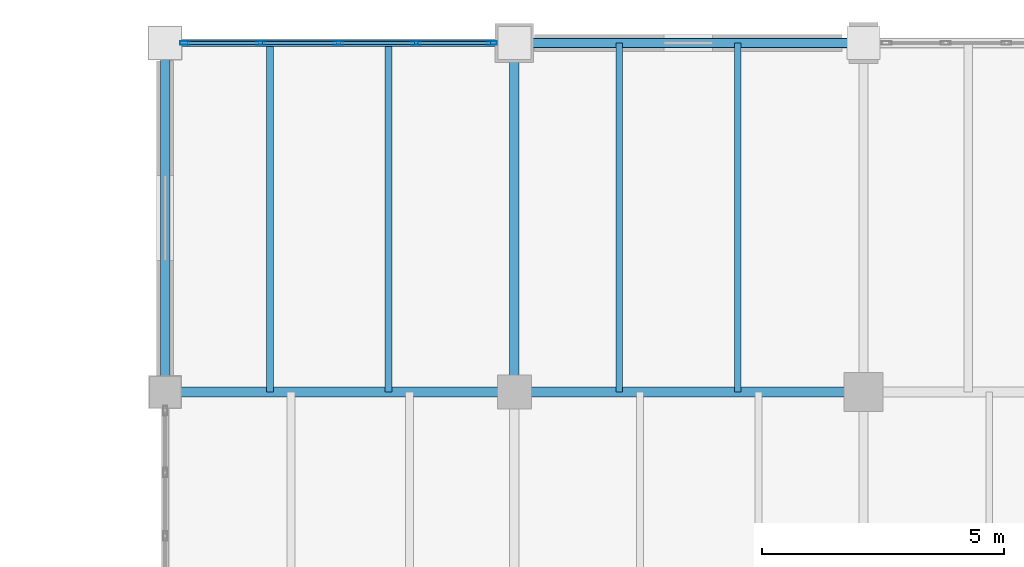
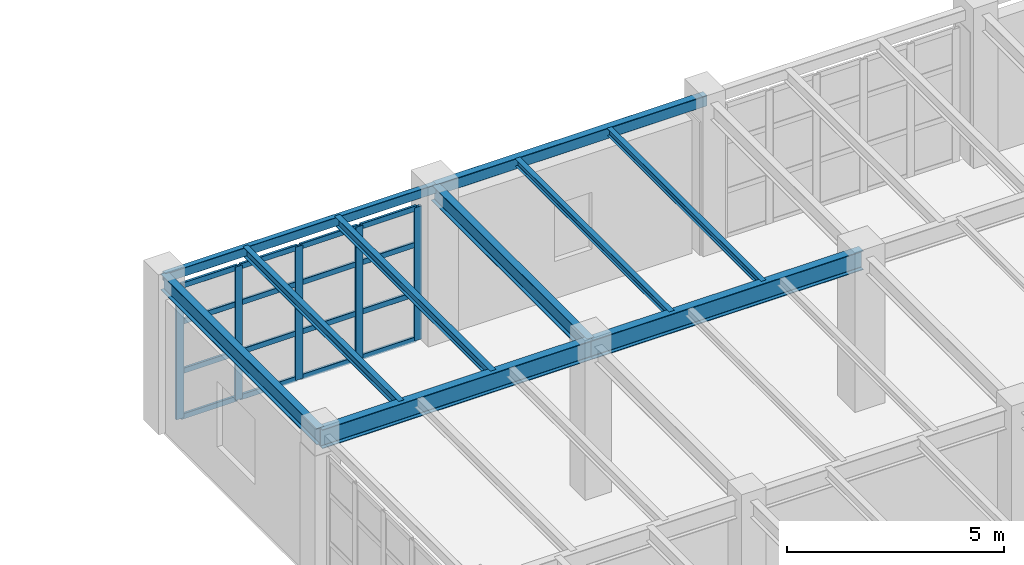
# One storey, part 67 of 137: 21 members, 10 beams, 1 element without a shape of its own.
"""IFC4 building model written with IfcOpenShell, lengths in metres."""

from ifc_helpers import new_model, si_unit, direction, frame, origin, origin_2d, place, context, subcontext, project, spatial, hollow_rectangle, i_section, extrude, material, layer, layer_set, material_profile, profile_set, type_object, element, aggregate, save


model = new_model("IFC4")

# Units and contexts
model_context = context("Model", 3, precision=1e-05, world=origin(), true_north=direction((0.0, 1.0)))
body_context = subcontext(model_context, "Body", "Model", "MODEL_VIEW")
ifc_project = project(units=[si_unit("LENGTHUNIT", "METRE"), si_unit("AREAUNIT", "SQUARE_METRE"), si_unit("VOLUMEUNIT", "CUBIC_METRE"), si_unit("PLANEANGLEUNIT", "RADIAN"), si_unit("MASSUNIT", "GRAM", prefix="KILO")], contexts=[model_context])

# Site, building, storey
site_placement = place(None, origin())
site = spatial("IfcSite", under=ifc_project, at=site_placement, CompositionType="ELEMENT")
building_placement = place(site_placement, origin())
building = spatial("IfcBuilding", under=site, at=building_placement, Name="Kemerveld Promenade Tramway Depot", CompositionType="ELEMENT")
storey_placement = place(building_placement, frame((0.0, 0.0, 5.39990234375)))
storey = spatial("IfcBuildingStorey", under=building, at=storey_placement, Name="L01", CompositionType="ELEMENT", Elevation=5.39990234375)

# Beams
ifc_material_1 = material(Name="Steel S355", Category="steel")
ifc_material_profile_1 = material_profile(ifc_material_1, i_section(OverallWidth=0.2099609375, OverallDepth=0.53662109375, WebThickness=0.0107421875, FlangeThickness=0.017333984375, FilletRadius=0.0126953125, at=origin_2d()), Name="533x210x101 UB")
ifc_profile_set_1 = profile_set([ifc_material_profile_1], Name="Steel S355")
beam_type_1 = type_object("IfcBeamType", Name="BM-G05", PredefinedType="BEAM", material=ifc_profile_set_1)
beam_1_placement = place(storey_placement, frame((115.199951171875, 72.0, 3.9716796875), z_axis=(1.0, 0.0, 0.0), x_axis=(0.0, 1.0, 0.0)))
element("IfcBeam", 1, at=beam_1_placement, inside=storey, type_object=beam_type_1, Name="BMX-L01-17-18-L", PredefinedType="BEAM", context=body_context, shape_type="SweptSolid", body=[
    extrude(i_section(OverallWidth=0.2099609375, OverallDepth=0.53662109375, WebThickness=0.0107421875, FlangeThickness=0.017333984375, FilletRadius=0.0126953125, at=origin_2d()), origin(), (0.0, 0.0, 1.0), 7.199951171875),
])
beam_2_placement = place(storey_placement, frame((122.39990234375, 72.0, 3.9716796875), z_axis=(1.0, 0.0, 0.0), x_axis=(0.0, 1.0, 0.0)))
element("IfcBeam", 2, at=beam_2_placement, inside=storey, type_object=beam_type_1, Name="BMX-L01-18-19-L", PredefinedType="BEAM", context=body_context, shape_type="SweptSolid", body=[
    extrude(i_section(OverallWidth=0.2099609375, OverallDepth=0.53662109375, WebThickness=0.0107421875, FlangeThickness=0.017333984375, FilletRadius=0.0126953125, at=origin_2d()), origin(), (0.0, 0.0, 1.0), 7.2001953125),
])
ifc_material_profile_2 = material_profile(ifc_material_1, i_section(OverallWidth=0.19140625, OverallDepth=0.4599609375, WebThickness=0.010009765625, FlangeThickness=0.01611328125, FilletRadius=0.01025390625, at=origin_2d()), Name="457x191x82 UB")
ifc_profile_set_2 = profile_set([ifc_material_profile_2], Name="Steel S355")
beam_type_2 = type_object("IfcBeamType", Name="BM-G06", PredefinedType="BEAM", material=ifc_profile_set_2)
for number, where, z_axis, x_axis, name in (
    (3, (115.199951171875, 72.0, 4.010009765625), (0.0, 1.0, 0.0), (-1.0, 0.0, 0.0), "BMY-L01-17-L-M"),
    (4, (122.39990234375, 72.0, 4.010009765625), (0.0, 1.0, 0.0), (-1.0, 0.0, 0.0), "BMY-L01-18-L-M"),
):
    element("IfcBeam", number, at=place(storey_placement, frame(where, z_axis=z_axis, x_axis=x_axis)), inside=storey, type_object=beam_type_2, Name=name, PredefinedType="BEAM", context=body_context, shape_type="SweptSolid", body=[
        extrude(i_section(OverallWidth=0.19140625, OverallDepth=0.4599609375, WebThickness=0.010009765625, FlangeThickness=0.01611328125, FilletRadius=0.01025390625, at=origin_2d()), origin(), (0.0, 0.0, 1.0), 7.199951171875),
    ])
ifc_material_profile_3 = material_profile(ifc_material_1, hollow_rectangle(XDim=0.14990234375, YDim=0.25, WallThickness=0.010009765625, InnerFilletRadius=0.0048828125, OuterFilletRadius=0.014892578125, at=origin_2d()), Name="250x150x10.0 RHS")
ifc_profile_set_3 = profile_set([ifc_material_profile_3], Name="Steel S355")
beam_type_3 = type_object("IfcBeamType", Name="BM-G17", PredefinedType="BEAM", material=ifc_profile_set_3)
beam_3_placement = place(storey_placement, frame((115.199951171875, 79.199951171875, 4.114990234375), z_axis=(1.0, 0.0, 0.0), x_axis=(0.0, 1.0, 0.0)))
element("IfcBeam", 5, at=beam_3_placement, inside=storey, type_object=beam_type_3, Name="BMX-L01-17-18-M", PredefinedType="BEAM", context=body_context, shape_type="SweptSolid", body=[
    extrude(hollow_rectangle(XDim=0.14990234375, YDim=0.25, WallThickness=0.010009765625, InnerFilletRadius=0.0048828125, OuterFilletRadius=0.014892578125, at=origin_2d()), origin(), (0.0, 0.0, 1.0), 7.199951171875),
])
ifc_material_profile_4 = material_profile(ifc_material_1, hollow_rectangle(XDim=0.199951171875, YDim=0.300048828125, WallThickness=0.012451171875, InnerFilletRadius=0.00634765625, OuterFilletRadius=0.018798828125, at=origin_2d()), Name="300x200x12.5 RHS")
ifc_profile_set_4 = profile_set([ifc_material_profile_4], Name="Steel S355")
beam_type_4 = type_object("IfcBeamType", Name="BM-G18", PredefinedType="BEAM", material=ifc_profile_set_4)
beam_4_placement = place(storey_placement, frame((122.39990234375, 79.199951171875, 4.090087890625), z_axis=(1.0, 0.0, 0.0), x_axis=(0.0, 1.0, 0.0)))
element("IfcBeam", 6, at=beam_4_placement, inside=storey, type_object=beam_type_4, Name="BMX-L01-18-19-M", PredefinedType="BEAM", context=body_context, shape_type="SweptSolid", body=[
    extrude(hollow_rectangle(XDim=0.199951171875, YDim=0.300048828125, WallThickness=0.012451171875, InnerFilletRadius=0.00634765625, OuterFilletRadius=0.018798828125, at=origin_2d()), origin(), (0.0, 0.0, 1.0), 7.2001953125),
])
ifc_material_profile_5 = material_profile(ifc_material_1, i_section(OverallWidth=0.146484375, OverallDepth=0.256103515625, WebThickness=0.00634765625, FlangeThickness=0.010986328125, FilletRadius=0.007568359375, at=origin_2d()), Name="254x146x37 UB")
ifc_profile_set_5 = profile_set([ifc_material_profile_5], Name="Steel S355")
beam_type_5 = type_object("IfcBeamType", Name="BM-J02", PredefinedType="JOIST", material=ifc_profile_set_5)
for number, where, z_axis, x_axis, name in (
    (7, (117.360107421875, 72.0, 4.112060546875), (0.0, 1.0, 0.0), (-1.0, 0.0, 0.0), "JST-L01-17-L-1"),
    (8, (119.80810546875, 72.0, 4.112060546875), (0.0, 1.0, 0.0), (-1.0, 0.0, 0.0), "JST-L01-17-L-2"),
):
    element("IfcBeam", number, at=place(storey_placement, frame(where, z_axis=z_axis, x_axis=x_axis)), inside=storey, type_object=beam_type_5, Name=name, PredefinedType="JOIST", context=body_context, shape_type="SweptSolid", body=[
        extrude(i_section(OverallWidth=0.146484375, OverallDepth=0.256103515625, WebThickness=0.00634765625, FlangeThickness=0.010986328125, FilletRadius=0.007568359375, at=origin_2d()), origin(), (0.0, 0.0, 1.0), 7.199951171875),
    ])
ifc_material_profile_6 = material_profile(ifc_material_1, i_section(OverallWidth=0.13330078125, OverallDepth=0.203125, WebThickness=0.005615234375, FlangeThickness=0.0078125, FilletRadius=0.007568359375, at=origin_2d()), Name="203x133x25 UB")
ifc_profile_set_6 = profile_set([ifc_material_profile_6], Name="Steel S355")
beam_type_6 = type_object("IfcBeamType", Name="BM-J03", PredefinedType="JOIST", material=ifc_profile_set_6)
for number, where, z_axis, x_axis, name in (
    (9, (124.56005859375, 72.0, 4.138427734375), (0.0, 1.0, 0.0), (-1.0, 0.0, 0.0), "JST-L01-18-L-1"),
    (10, (127.008056640625, 72.0, 4.138427734375), (0.0, 1.0, 0.0), (-1.0, 0.0, 0.0), "JST-L01-18-L-2"),
):
    element("IfcBeam", number, at=place(storey_placement, frame(where, z_axis=z_axis, x_axis=x_axis)), inside=storey, type_object=beam_type_6, Name=name, PredefinedType="JOIST", context=body_context, shape_type="SweptSolid", body=[
        extrude(i_section(OverallWidth=0.13330078125, OverallDepth=0.203125, WebThickness=0.005615234375, FlangeThickness=0.0078125, FilletRadius=0.007568359375, at=origin_2d()), origin(), (0.0, 0.0, 1.0), 7.199951171875),
    ])

# Curtain wall, members
ifc_material_2 = material(Name="Bronze anodised aluminium and solar glass", Category="aluminium")
ifc_layer = layer(ifc_material_2, 0.199951171875)
ifc_layer_set = layer_set([ifc_layer], Name="CW-SYS-04")
curtain_wall_type = type_object("IfcCurtainWallType", Name="CW-SYS-04", PredefinedType="USERDEFINED", material=ifc_layer_set)
curtain_wall_placement = place(storey_placement, origin())
curtain_wall = element("IfcCurtainWall", 11, at=curtain_wall_placement, inside=storey, type_object=curtain_wall_type, Name="CW-L01-V3N-01", ObjectType="GLAZED_CURTAIN_WALL", PredefinedType="USERDEFINED")
ifc_material_3 = material(Name="Bronze anodised aluminium", Category="aluminium")
ifc_material_profile_7 = material_profile(ifc_material_3, hollow_rectangle(XDim=0.074951171875, YDim=0.199951171875, WallThickness=0.0048828125, InnerFilletRadius=0.001953125, OuterFilletRadius=0.0048828125, at=origin_2d()), Name="CW-MUL-200x75")
ifc_profile_set_7 = profile_set([ifc_material_profile_7], Name="Bronze anodised aluminium")
member_type_1 = type_object("IfcMemberType", Name="CW-MUL-B", PredefinedType="MULLION", material=ifc_profile_set_7)
member_1_placement = place(storey_placement, frame((115.607421875, 79.199951171875, 0.0), z_axis=(0.0, 0.0, 1.0), x_axis=(0.0, 1.0, 0.0)))
member_1 = element("IfcMember", 12, at=member_1_placement, type_object=member_type_1, Name="CW04 mullion 1", PredefinedType="MULLION", context=body_context, shape_type="SweptSolid", body=[
    extrude(hollow_rectangle(XDim=0.074951171875, YDim=0.199951171875, WallThickness=0.0048828125, InnerFilletRadius=0.001953125, OuterFilletRadius=0.0048828125, at=origin_2d()), origin(), (0.0, 0.0, 1.0), 3.75),
])
member_2_placement = place(storey_placement, frame((117.172607421875, 79.199951171875, 0.0), z_axis=(0.0, 0.0, 1.0), x_axis=(0.0, 1.0, 0.0)))
member_2 = element("IfcMember", 13, at=member_2_placement, type_object=member_type_1, Name="CW04 mullion 2", PredefinedType="MULLION", context=body_context, shape_type="SweptSolid", body=[
    extrude(hollow_rectangle(XDim=0.074951171875, YDim=0.199951171875, WallThickness=0.0048828125, InnerFilletRadius=0.001953125, OuterFilletRadius=0.0048828125, at=origin_2d()), origin(), (0.0, 0.0, 1.0), 3.75),
])
member_3_placement = place(storey_placement, frame((118.77490234375, 79.199951171875, 0.0), z_axis=(0.0, 0.0, 1.0), x_axis=(0.0, 1.0, 0.0)))
member_3 = element("IfcMember", 14, at=member_3_placement, type_object=member_type_1, Name="CW04 mullion 3", PredefinedType="MULLION", context=body_context, shape_type="SweptSolid", body=[
    extrude(hollow_rectangle(XDim=0.074951171875, YDim=0.199951171875, WallThickness=0.0048828125, InnerFilletRadius=0.001953125, OuterFilletRadius=0.0048828125, at=origin_2d()), origin(), (0.0, 0.0, 1.0), 3.75),
])
member_4_placement = place(storey_placement, frame((120.37744140625, 79.199951171875, 0.0), z_axis=(0.0, 0.0, 1.0), x_axis=(0.0, 1.0, 0.0)))
member_4 = element("IfcMember", 15, at=member_4_placement, type_object=member_type_1, Name="CW04 mullion 4", PredefinedType="MULLION", context=body_context, shape_type="SweptSolid", body=[
    extrude(hollow_rectangle(XDim=0.074951171875, YDim=0.199951171875, WallThickness=0.0048828125, InnerFilletRadius=0.001953125, OuterFilletRadius=0.0048828125, at=origin_2d()), origin(), (0.0, 0.0, 1.0), 3.75),
])
member_5_placement = place(storey_placement, frame((121.9423828125, 79.199951171875, 0.0), z_axis=(0.0, 0.0, 1.0), x_axis=(0.0, 1.0, 0.0)))
member_5 = element("IfcMember", 16, at=member_5_placement, type_object=member_type_1, Name="CW04 mullion 5", PredefinedType="MULLION", context=body_context, shape_type="SweptSolid", body=[
    extrude(hollow_rectangle(XDim=0.074951171875, YDim=0.199951171875, WallThickness=0.0048828125, InnerFilletRadius=0.001953125, OuterFilletRadius=0.0048828125, at=origin_2d()), origin(), (0.0, 0.0, 1.0), 3.75),
])
ifc_material_profile_8 = material_profile(ifc_material_3, hollow_rectangle(XDim=0.06494140625, YDim=0.14990234375, WallThickness=0.00439453125, InnerFilletRadius=0.001953125, OuterFilletRadius=0.00439453125, at=origin_2d()), Name="CW-TRN-150x65")
ifc_profile_set_8 = profile_set([ifc_material_profile_8], Name="Bronze anodised aluminium")
member_type_2 = type_object("IfcMemberType", Name="CW-TRN-B", PredefinedType="USERDEFINED", material=ifc_profile_set_8)
member_6_placement = place(storey_placement, frame((115.64501953125, 79.199951171875, 0.03271484375), z_axis=(1.0, 0.0, 0.0), x_axis=(0.0, 1.0, 0.0)))
member_6 = element("IfcMember", 17, at=member_6_placement, type_object=member_type_2, Name="CW04 transom 1.1", ObjectType="TRANSOM", PredefinedType="USERDEFINED", context=body_context, shape_type="SweptSolid", body=[
    extrude(hollow_rectangle(XDim=0.06494140625, YDim=0.14990234375, WallThickness=0.00439453125, InnerFilletRadius=0.001953125, OuterFilletRadius=0.00439453125, at=origin_2d()), origin(), (0.0, 0.0, 1.0), 1.489990234375),
])
member_7_placement = place(storey_placement, frame((115.64501953125, 79.199951171875, 1.31298828125), z_axis=(1.0, 0.0, 0.0), x_axis=(0.0, 1.0, 0.0)))
member_7 = element("IfcMember", 18, at=member_7_placement, type_object=member_type_2, Name="CW04 transom 1.2", ObjectType="TRANSOM", PredefinedType="USERDEFINED", context=body_context, shape_type="SweptSolid", body=[
    extrude(hollow_rectangle(XDim=0.06494140625, YDim=0.14990234375, WallThickness=0.00439453125, InnerFilletRadius=0.001953125, OuterFilletRadius=0.00439453125, at=origin_2d()), origin(), (0.0, 0.0, 1.0), 1.489990234375),
])
member_8_placement = place(storey_placement, frame((115.64501953125, 79.199951171875, 2.7001953125), z_axis=(1.0, 0.0, 0.0), x_axis=(0.0, 1.0, 0.0)))
member_8 = element("IfcMember", 19, at=member_8_placement, type_object=member_type_2, Name="CW04 transom 1.3", ObjectType="TRANSOM", PredefinedType="USERDEFINED", context=body_context, shape_type="SweptSolid", body=[
    extrude(hollow_rectangle(XDim=0.06494140625, YDim=0.14990234375, WallThickness=0.00439453125, InnerFilletRadius=0.001953125, OuterFilletRadius=0.00439453125, at=origin_2d()), origin(), (0.0, 0.0, 1.0), 1.489990234375),
])
member_9_placement = place(storey_placement, frame((115.64501953125, 79.199951171875, 3.717529296875), z_axis=(1.0, 0.0, 0.0), x_axis=(0.0, 1.0, 0.0)))
member_9 = element("IfcMember", 20, at=member_9_placement, type_object=member_type_2, Name="CW04 transom 1.4", ObjectType="TRANSOM", PredefinedType="USERDEFINED", context=body_context, shape_type="SweptSolid", body=[
    extrude(hollow_rectangle(XDim=0.06494140625, YDim=0.14990234375, WallThickness=0.00439453125, InnerFilletRadius=0.001953125, OuterFilletRadius=0.00439453125, at=origin_2d()), origin(), (0.0, 0.0, 1.0), 1.489990234375),
])
member_10_placement = place(storey_placement, frame((117.2099609375, 79.199951171875, 0.03271484375), z_axis=(1.0, 0.0, 0.0), x_axis=(0.0, 1.0, 0.0)))
member_10 = element("IfcMember", 21, at=member_10_placement, type_object=member_type_2, Name="CW04 transom 2.1", ObjectType="TRANSOM", PredefinedType="USERDEFINED", context=body_context, shape_type="SweptSolid", body=[
    extrude(hollow_rectangle(XDim=0.06494140625, YDim=0.14990234375, WallThickness=0.00439453125, InnerFilletRadius=0.001953125, OuterFilletRadius=0.00439453125, at=origin_2d()), origin(), (0.0, 0.0, 1.0), 1.527587890625),
])
member_11_placement = place(storey_placement, frame((117.2099609375, 79.199951171875, 1.31298828125), z_axis=(1.0, 0.0, 0.0), x_axis=(0.0, 1.0, 0.0)))
member_11 = element("IfcMember", 22, at=member_11_placement, type_object=member_type_2, Name="CW04 transom 2.2", ObjectType="TRANSOM", PredefinedType="USERDEFINED", context=body_context, shape_type="SweptSolid", body=[
    extrude(hollow_rectangle(XDim=0.06494140625, YDim=0.14990234375, WallThickness=0.00439453125, InnerFilletRadius=0.001953125, OuterFilletRadius=0.00439453125, at=origin_2d()), origin(), (0.0, 0.0, 1.0), 1.527587890625),
])
member_12_placement = place(storey_placement, frame((117.2099609375, 79.199951171875, 2.7001953125), z_axis=(1.0, 0.0, 0.0), x_axis=(0.0, 1.0, 0.0)))
member_12 = element("IfcMember", 23, at=member_12_placement, type_object=member_type_2, Name="CW04 transom 2.3", ObjectType="TRANSOM", PredefinedType="USERDEFINED", context=body_context, shape_type="SweptSolid", body=[
    extrude(hollow_rectangle(XDim=0.06494140625, YDim=0.14990234375, WallThickness=0.00439453125, InnerFilletRadius=0.001953125, OuterFilletRadius=0.00439453125, at=origin_2d()), origin(), (0.0, 0.0, 1.0), 1.527587890625),
])
member_13_placement = place(storey_placement, frame((117.2099609375, 79.199951171875, 3.717529296875), z_axis=(1.0, 0.0, 0.0), x_axis=(0.0, 1.0, 0.0)))
member_13 = element("IfcMember", 24, at=member_13_placement, type_object=member_type_2, Name="CW04 transom 2.4", ObjectType="TRANSOM", PredefinedType="USERDEFINED", context=body_context, shape_type="SweptSolid", body=[
    extrude(hollow_rectangle(XDim=0.06494140625, YDim=0.14990234375, WallThickness=0.00439453125, InnerFilletRadius=0.001953125, OuterFilletRadius=0.00439453125, at=origin_2d()), origin(), (0.0, 0.0, 1.0), 1.527587890625),
])
member_14_placement = place(storey_placement, frame((118.8125, 79.199951171875, 0.03271484375), z_axis=(1.0, 0.0, 0.0), x_axis=(0.0, 1.0, 0.0)))
member_14 = element("IfcMember", 25, at=member_14_placement, type_object=member_type_2, Name="CW04 transom 3.1", ObjectType="TRANSOM", PredefinedType="USERDEFINED", context=body_context, shape_type="SweptSolid", body=[
    extrude(hollow_rectangle(XDim=0.06494140625, YDim=0.14990234375, WallThickness=0.00439453125, InnerFilletRadius=0.001953125, OuterFilletRadius=0.00439453125, at=origin_2d()), origin(), (0.0, 0.0, 1.0), 1.527587890625),
])
member_15_placement = place(storey_placement, frame((118.8125, 79.199951171875, 1.31298828125), z_axis=(1.0, 0.0, 0.0), x_axis=(0.0, 1.0, 0.0)))
member_15 = element("IfcMember", 26, at=member_15_placement, type_object=member_type_2, Name="CW04 transom 3.2", ObjectType="TRANSOM", PredefinedType="USERDEFINED", context=body_context, shape_type="SweptSolid", body=[
    extrude(hollow_rectangle(XDim=0.06494140625, YDim=0.14990234375, WallThickness=0.00439453125, InnerFilletRadius=0.001953125, OuterFilletRadius=0.00439453125, at=origin_2d()), origin(), (0.0, 0.0, 1.0), 1.527587890625),
])
member_16_placement = place(storey_placement, frame((118.8125, 79.199951171875, 2.7001953125), z_axis=(1.0, 0.0, 0.0), x_axis=(0.0, 1.0, 0.0)))
member_16 = element("IfcMember", 27, at=member_16_placement, type_object=member_type_2, Name="CW04 transom 3.3", ObjectType="TRANSOM", PredefinedType="USERDEFINED", context=body_context, shape_type="SweptSolid", body=[
    extrude(hollow_rectangle(XDim=0.06494140625, YDim=0.14990234375, WallThickness=0.00439453125, InnerFilletRadius=0.001953125, OuterFilletRadius=0.00439453125, at=origin_2d()), origin(), (0.0, 0.0, 1.0), 1.527587890625),
])
member_17_placement = place(storey_placement, frame((118.8125, 79.199951171875, 3.717529296875), z_axis=(1.0, 0.0, 0.0), x_axis=(0.0, 1.0, 0.0)))
member_17 = element("IfcMember", 28, at=member_17_placement, type_object=member_type_2, Name="CW04 transom 3.4", ObjectType="TRANSOM", PredefinedType="USERDEFINED", context=body_context, shape_type="SweptSolid", body=[
    extrude(hollow_rectangle(XDim=0.06494140625, YDim=0.14990234375, WallThickness=0.00439453125, InnerFilletRadius=0.001953125, OuterFilletRadius=0.00439453125, at=origin_2d()), origin(), (0.0, 0.0, 1.0), 1.527587890625),
])
member_18_placement = place(storey_placement, frame((120.4150390625, 79.199951171875, 0.03271484375), z_axis=(1.0, 0.0, 0.0), x_axis=(0.0, 1.0, 0.0)))
member_18 = element("IfcMember", 29, at=member_18_placement, type_object=member_type_2, Name="CW04 transom 4.1", ObjectType="TRANSOM", PredefinedType="USERDEFINED", context=body_context, shape_type="SweptSolid", body=[
    extrude(hollow_rectangle(XDim=0.06494140625, YDim=0.14990234375, WallThickness=0.00439453125, InnerFilletRadius=0.001953125, OuterFilletRadius=0.00439453125, at=origin_2d()), origin(), (0.0, 0.0, 1.0), 1.489990234375),
])
member_19_placement = place(storey_placement, frame((120.4150390625, 79.199951171875, 1.31298828125), z_axis=(1.0, 0.0, 0.0), x_axis=(0.0, 1.0, 0.0)))
member_19 = element("IfcMember", 30, at=member_19_placement, type_object=member_type_2, Name="CW04 transom 4.2", ObjectType="TRANSOM", PredefinedType="USERDEFINED", context=body_context, shape_type="SweptSolid", body=[
    extrude(hollow_rectangle(XDim=0.06494140625, YDim=0.14990234375, WallThickness=0.00439453125, InnerFilletRadius=0.001953125, OuterFilletRadius=0.00439453125, at=origin_2d()), origin(), (0.0, 0.0, 1.0), 1.489990234375),
])
member_20_placement = place(storey_placement, frame((120.4150390625, 79.199951171875, 2.7001953125), z_axis=(1.0, 0.0, 0.0), x_axis=(0.0, 1.0, 0.0)))
member_20 = element("IfcMember", 31, at=member_20_placement, type_object=member_type_2, Name="CW04 transom 4.3", ObjectType="TRANSOM", PredefinedType="USERDEFINED", context=body_context, shape_type="SweptSolid", body=[
    extrude(hollow_rectangle(XDim=0.06494140625, YDim=0.14990234375, WallThickness=0.00439453125, InnerFilletRadius=0.001953125, OuterFilletRadius=0.00439453125, at=origin_2d()), origin(), (0.0, 0.0, 1.0), 1.489990234375),
])
member_21_placement = place(storey_placement, frame((120.4150390625, 79.199951171875, 3.717529296875), z_axis=(1.0, 0.0, 0.0), x_axis=(0.0, 1.0, 0.0)))
member_21 = element("IfcMember", 32, at=member_21_placement, type_object=member_type_2, Name="CW04 transom 4.4", ObjectType="TRANSOM", PredefinedType="USERDEFINED", context=body_context, shape_type="SweptSolid", body=[
    extrude(hollow_rectangle(XDim=0.06494140625, YDim=0.14990234375, WallThickness=0.00439453125, InnerFilletRadius=0.001953125, OuterFilletRadius=0.00439453125, at=origin_2d()), origin(), (0.0, 0.0, 1.0), 1.489990234375),
])
aggregate(curtain_wall, [member_1, member_2, member_3, member_4, member_5, member_6, member_7, member_8, member_9, member_10, member_11, member_12, member_13, member_14, member_15, member_16, member_17, member_18, member_19, member_20, member_21])

save(model, "model.ifc")
